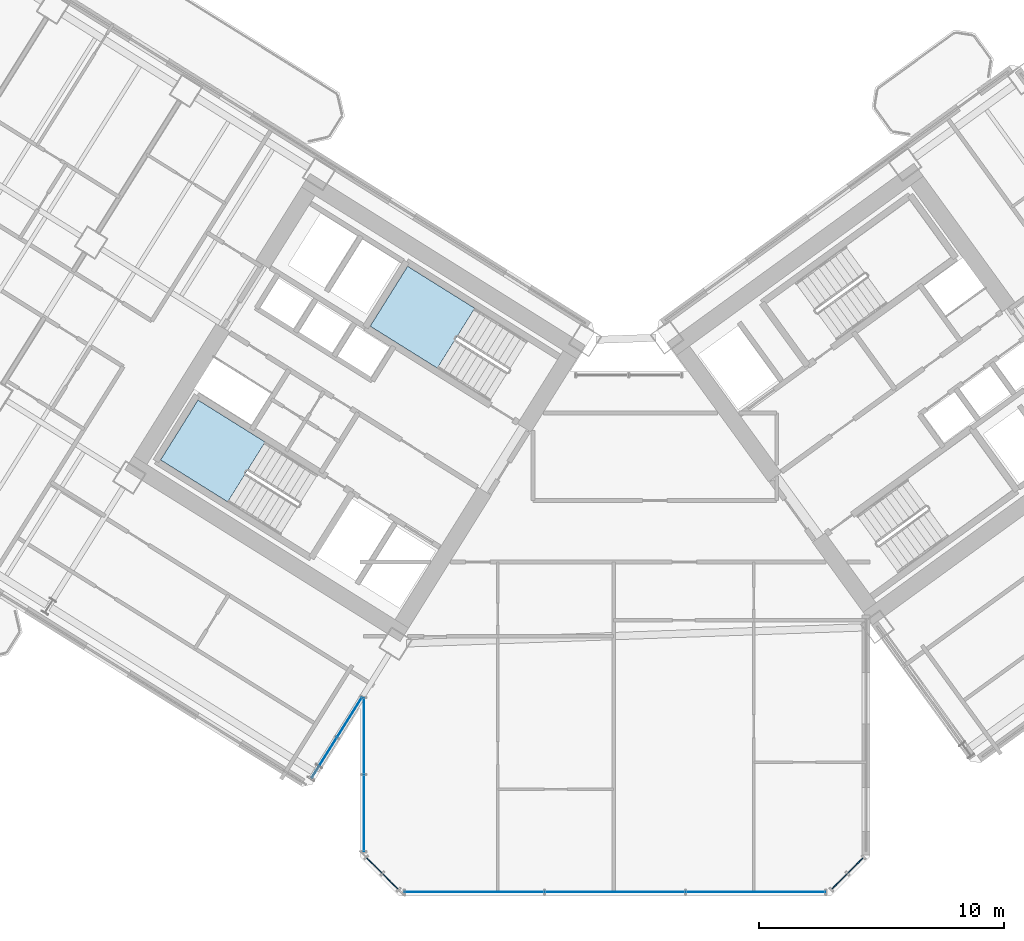
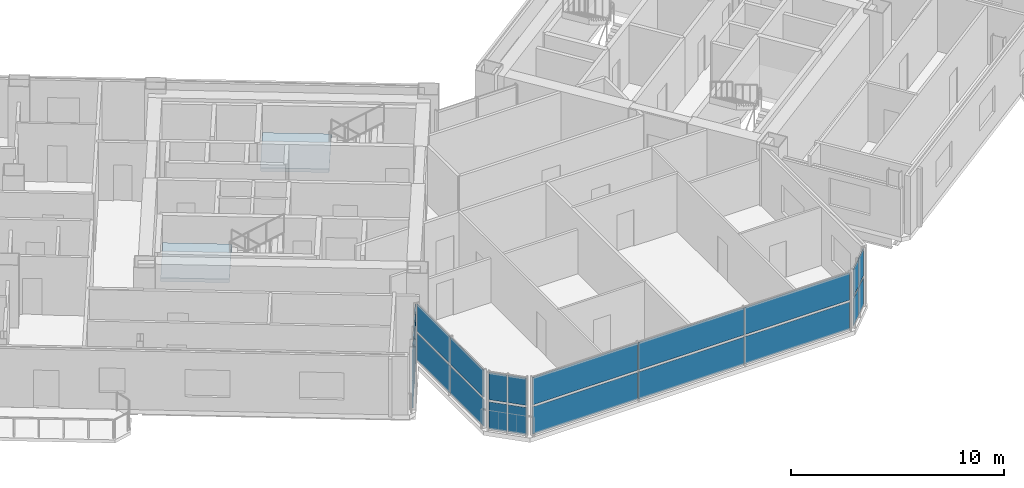
# One storey, part 13 of 28: 22 plates, 2 slabs, 7 elements without a shape of their own.
"""IFC4 building model written with IfcOpenShell, lengths in metres."""

from ifc_helpers import new_model, si_unit, direction, frame, origin, origin_2d, place, context, subcontext, project, spatial, polyline, rectangle, outline, extrude, source, transform, mapped, material, layer, layer_set, type_object, element, aggregate, save


model = new_model("IFC4")

# Units and contexts
model_context = context("Model", 3, precision=1e-05, world=origin(), true_north=direction((0.0, 1.0)))
body_context = subcontext(model_context, "Body", "Model", "MODEL_VIEW")
ifc_project = project(units=[si_unit("LENGTHUNIT", "METRE"), si_unit("AREAUNIT", "SQUARE_METRE"), si_unit("VOLUMEUNIT", "CUBIC_METRE"), si_unit("PLANEANGLEUNIT", "RADIAN"), si_unit("MASSUNIT", "GRAM", prefix="KILO")], contexts=[model_context])

# Site, building, storey
site_placement = place(None, origin())
site = spatial("IfcSite", under=ifc_project, at=site_placement, CompositionType="ELEMENT")
building_placement = place(site_placement, origin())
building = spatial("IfcBuilding", under=site, at=building_placement, Name="Tlacorven Tower", CompositionType="ELEMENT")
storey_placement = place(building_placement, frame((0.0, 0.0, 49.199951171875)))
storey = spatial("IfcBuildingStorey", under=building, at=storey_placement, Name="L12", CompositionType="ELEMENT", Elevation=49.199951171875)

# Stair, slab
ifc_material_1 = material(Name="Concrete C40/50", Category="concrete")
stair_type = type_object("IfcStairType", Name="ST-CORE-DLG", PredefinedType="HALF_TURN_STAIR", material=ifc_material_1)
stair_1_placement = place(storey_placement, origin())
stair_1 = element("IfcStair", 1, at=stair_1_placement, inside=storey, type_object=stair_type, Name="L12 Protected Exit Stair West 1", PredefinedType="HALF_TURN_STAIR")
ifc_layer_1 = layer(ifc_material_1, 0.199951171875)
ifc_layer_set_1 = layer_set([ifc_layer_1], Name="Concrete C40/50")
slab_type = type_object("IfcSlabType", Name="SL-LND-200", PredefinedType="LANDING", material=ifc_layer_set_1)
slab_1_placement = place(storey_placement, frame((0.0, 0.0, 1.60009765625)))
slab_1 = element("IfcSlab", 2, at=slab_1_placement, type_object=slab_type, Name="ST-W1 landing 1", PredefinedType="LANDING", context=body_context, shape_type="SweptSolid", body=[
    extrude(outline(polyline([(27.728515625, 20.315185546875), (24.9892578125, 22.02685546875), (23.463134765625, 19.58447265625), (26.2021484375, 17.872802734375), (27.728515625, 20.315185546875)])), origin(), (0.0, 0.0, 1.0), 0.199951171875),
])
aggregate(stair_1, [slab_1])

stair_2_placement = place(storey_placement, origin())
stair_2 = element("IfcStair", 3, at=stair_2_placement, inside=storey, type_object=stair_type, Name="L12 Protected Exit Stair West 2", PredefinedType="HALF_TURN_STAIR")
slab_2_placement = place(storey_placement, frame((0.0, 0.0, 1.60009765625)))
slab_2 = element("IfcSlab", 4, at=slab_2_placement, type_object=slab_type, Name="ST-W2 landing 1", PredefinedType="LANDING", context=body_context, shape_type="SweptSolid", body=[
    extrude(outline(polyline([(36.280029296875, 25.772705078125), (33.540771484375, 27.484375), (32.0146484375, 25.0419921875), (34.75390625, 23.33056640625), (36.280029296875, 25.772705078125)])), origin(), (0.0, 0.0, 1.0), 0.199951171875),
])
aggregate(stair_2, [slab_2])

# Curtain wall, plates
ifc_material_2 = material(Name="Dark solar low-E double glazing in aluminium frame", Category="aluminium")
curtain_wall_type = type_object("IfcCurtainWallType", Name="CW-TWR-LOW", PredefinedType="USERDEFINED", material=ifc_material_2)
curtain_wall_1_placement = place(storey_placement, origin())
curtain_wall_1 = element("IfcCurtainWall", 5, at=curtain_wall_1_placement, inside=storey, type_object=curtain_wall_type, Name="L12 CW-TWR-LOW Curtain Wall 63", ObjectType="UNITISED CURTAIN WALL", PredefinedType="USERDEFINED")
ifc_material_3 = material(Name="Dark solar double low-E glazing", Category="glass")
ifc_layer_2 = layer(ifc_material_3, 0.031982421875)
ifc_layer_set_2 = layer_set([ifc_layer_2], Name="Dark solar double low-E glazing")
plate_type = type_object("IfcPlateType", Name="CWP-02", PredefinedType="CURTAIN_PANEL", material=ifc_layer_set_2)
shared_shape_1 = source(origin(), body_context, "Body", "SweptSolid", [
    extrude(rectangle(XDim=0.878173828125, YDim=0.031982421875, at=origin_2d()), origin(), (0.0, 0.0, 1.0), 1.552978515625),
])
plate_1_placement = place(storey_placement, frame((51.815673828125, 3.0419921875, 0.06103515625), z_axis=(0.0, 0.0, 1.0), x_axis=(-0.707106781187, -0.707106781187, 0.0)))
plate_1 = element("IfcPlate", 6, at=plate_1_placement, type_object=plate_type, Name="CW-L12-063 Glazing Panel 1", PredefinedType="CURTAIN_PANEL", context=body_context, shape_type="MappedRepresentation", body=[
    mapped(shared_shape_1, transform((0.0, 0.0, 0.0), scale=1.0)),
])
plate_2_placement = place(storey_placement, frame((51.815673828125, 3.0419921875, 1.73583984375), z_axis=(0.0, 0.0, 1.0), x_axis=(-0.707106781187, -0.707106781187, 0.0)))
plate_2 = element("IfcPlate", 7, at=plate_2_placement, type_object=plate_type, Name="CW-L12-063 Glazing Panel 2", PredefinedType="CURTAIN_PANEL", context=body_context, shape_type="MappedRepresentation", body=[
    mapped(shared_shape_1, transform((0.0, 0.0, 0.0), scale=1.0)),
])
plate_3_placement = place(storey_placement, frame((51.157958984375, 2.38427734375, 0.06103515625), z_axis=(0.0, 0.0, 1.0), x_axis=(-0.707106781187, -0.707106781187, 0.0)))
plate_3 = element("IfcPlate", 8, at=plate_3_placement, type_object=plate_type, Name="CW-L12-063 Glazing Panel 3", PredefinedType="CURTAIN_PANEL", context=body_context, shape_type="MappedRepresentation", body=[
    mapped(shared_shape_1, transform((0.0, 0.0, 0.0), scale=1.0)),
])
plate_4_placement = place(storey_placement, frame((51.157958984375, 2.38427734375, 1.73583984375), z_axis=(0.0, 0.0, 1.0), x_axis=(-0.707106781187, -0.707106781187, 0.0)))
plate_4 = element("IfcPlate", 9, at=plate_4_placement, type_object=plate_type, Name="CW-L12-063 Glazing Panel 4", PredefinedType="CURTAIN_PANEL", context=body_context, shape_type="MappedRepresentation", body=[
    mapped(shared_shape_1, transform((0.0, 0.0, 0.0), scale=1.0)),
])
aggregate(curtain_wall_1, [plate_1, plate_2, plate_3, plate_4])

curtain_wall_2_placement = place(storey_placement, origin())
curtain_wall_2 = element("IfcCurtainWall", 10, at=curtain_wall_2_placement, inside=storey, type_object=curtain_wall_type, Name="L12 CW-TWR-LOW Curtain Wall 65", ObjectType="UNITISED CURTAIN WALL", PredefinedType="USERDEFINED")
plate_5_placement = place(storey_placement, frame((32.842041015625, 2.38427734375, 0.06103515625), z_axis=(0.0, 0.0, 1.0), x_axis=(-0.707106781187, 0.707106781187, 0.0)))
plate_5 = element("IfcPlate", 11, at=plate_5_placement, type_object=plate_type, Name="CW-L12-065 Glazing Panel 1", PredefinedType="CURTAIN_PANEL", context=body_context, shape_type="MappedRepresentation", body=[
    mapped(shared_shape_1, transform((0.0, 0.0, 0.0), scale=1.0)),
])
plate_6_placement = place(storey_placement, frame((32.842041015625, 2.38427734375, 1.73583984375), z_axis=(0.0, 0.0, 1.0), x_axis=(-0.707106781187, 0.707106781187, 0.0)))
plate_6 = element("IfcPlate", 12, at=plate_6_placement, type_object=plate_type, Name="CW-L12-065 Glazing Panel 2", PredefinedType="CURTAIN_PANEL", context=body_context, shape_type="MappedRepresentation", body=[
    mapped(shared_shape_1, transform((0.0, 0.0, 0.0), scale=1.0)),
])
plate_7_placement = place(storey_placement, frame((32.184326171875, 3.0419921875, 0.06103515625), z_axis=(0.0, 0.0, 1.0), x_axis=(-0.707106781187, 0.707106781187, 0.0)))
plate_7 = element("IfcPlate", 13, at=plate_7_placement, type_object=plate_type, Name="CW-L12-065 Glazing Panel 3", PredefinedType="CURTAIN_PANEL", context=body_context, shape_type="MappedRepresentation", body=[
    mapped(shared_shape_1, transform((0.0, 0.0, 0.0), scale=1.0)),
])
plate_8_placement = place(storey_placement, frame((32.184326171875, 3.0419921875, 1.73583984375), z_axis=(0.0, 0.0, 1.0), x_axis=(-0.707106781187, 0.707106781187, 0.0)))
plate_8 = element("IfcPlate", 14, at=plate_8_placement, type_object=plate_type, Name="CW-L12-065 Glazing Panel 4", PredefinedType="CURTAIN_PANEL", context=body_context, shape_type="MappedRepresentation", body=[
    mapped(shared_shape_1, transform((0.0, 0.0, 0.0), scale=1.0)),
])
aggregate(curtain_wall_2, [plate_5, plate_6, plate_7, plate_8])

curtain_wall_3_placement = place(storey_placement, origin())
curtain_wall_3 = element("IfcCurtainWall", 15, at=curtain_wall_3_placement, inside=storey, type_object=curtain_wall_type, Name="L12 CW-TWR-LOW Curtain Wall 64", ObjectType="UNITISED CURTAIN WALL", PredefinedType="USERDEFINED")
shared_shape_2 = source(origin(), body_context, "Body", "SweptSolid", [
    extrude(rectangle(XDim=5.668701171875, YDim=0.031982421875, at=origin_2d()), origin(), (0.0, 0.0, 1.0), 1.552978515625),
])
plate_9_placement = place(storey_placement, frame((47.73828125, 1.9599609375, 0.06103515625), z_axis=(0.0, 0.0, 1.0), x_axis=(-1.0, 0.0, 0.0)))
plate_9 = element("IfcPlate", 16, at=plate_9_placement, type_object=plate_type, Name="CW-L12-064 Glazing Panel 1", PredefinedType="CURTAIN_PANEL", context=body_context, shape_type="MappedRepresentation", body=[
    mapped(shared_shape_2, transform((0.0, 0.0, 0.0), scale=1.0)),
])
plate_10_placement = place(storey_placement, frame((47.73828125, 1.9599609375, 1.73583984375), z_axis=(0.0, 0.0, 1.0), x_axis=(-1.0, 0.0, 0.0)))
plate_10 = element("IfcPlate", 17, at=plate_10_placement, type_object=plate_type, Name="CW-L12-064 Glazing Panel 2", PredefinedType="CURTAIN_PANEL", context=body_context, shape_type="MappedRepresentation", body=[
    mapped(shared_shape_2, transform((0.0, 0.0, 0.0), scale=1.0)),
])
plate_11_placement = place(storey_placement, frame((36.26171875, 1.9599609375, 0.06103515625), z_axis=(0.0, 0.0, 1.0), x_axis=(-1.0, 0.0, 0.0)))
plate_11 = element("IfcPlate", 18, at=plate_11_placement, type_object=plate_type, Name="CW-L12-064 Glazing Panel 5", PredefinedType="CURTAIN_PANEL", context=body_context, shape_type="MappedRepresentation", body=[
    mapped(shared_shape_2, transform((0.0, 0.0, 0.0), scale=1.0)),
])
plate_12_placement = place(storey_placement, frame((36.26171875, 1.9599609375, 1.73583984375), z_axis=(0.0, 0.0, 1.0), x_axis=(-1.0, 0.0, 0.0)))
plate_12 = element("IfcPlate", 19, at=plate_12_placement, type_object=plate_type, Name="CW-L12-064 Glazing Panel 6", PredefinedType="CURTAIN_PANEL", context=body_context, shape_type="MappedRepresentation", body=[
    mapped(shared_shape_2, transform((0.0, 0.0, 0.0), scale=1.0)),
])
shared_shape_3 = source(origin(), body_context, "Body", "SweptSolid", [
    extrude(rectangle(XDim=5.703857421875, YDim=0.031982421875, at=origin_2d()), origin(), (0.0, 0.0, 1.0), 1.552978515625),
])
plate_13_placement = place(storey_placement, frame((42.0, 1.9599609375, 0.06103515625), z_axis=(0.0, 0.0, 1.0), x_axis=(-1.0, 0.0, 0.0)))
plate_13 = element("IfcPlate", 20, at=plate_13_placement, type_object=plate_type, Name="CW-L12-064 Glazing Panel 3", PredefinedType="CURTAIN_PANEL", context=body_context, shape_type="MappedRepresentation", body=[
    mapped(shared_shape_3, transform((0.0, 0.0, 0.0), scale=1.0)),
])
plate_14_placement = place(storey_placement, frame((42.0, 1.9599609375, 1.73583984375), z_axis=(0.0, 0.0, 1.0), x_axis=(-1.0, 0.0, 0.0)))
plate_14 = element("IfcPlate", 21, at=plate_14_placement, type_object=plate_type, Name="CW-L12-064 Glazing Panel 4", PredefinedType="CURTAIN_PANEL", context=body_context, shape_type="MappedRepresentation", body=[
    mapped(shared_shape_3, transform((0.0, 0.0, 0.0), scale=1.0)),
])
aggregate(curtain_wall_3, [plate_9, plate_10, plate_13, plate_14, plate_11, plate_12])

curtain_wall_4_placement = place(storey_placement, origin())
curtain_wall_4 = element("IfcCurtainWall", 22, at=curtain_wall_4_placement, inside=storey, type_object=curtain_wall_type, Name="L12 CW-TWR-LOW Curtain Wall 66", ObjectType="UNITISED CURTAIN WALL", PredefinedType="USERDEFINED")
shared_shape_4 = source(origin(), body_context, "Body", "SweptSolid", [
    extrude(rectangle(XDim=3.09423828125, YDim=0.031982421875, at=origin_2d()), origin(), (0.0, 0.0, 1.0), 1.552978515625),
])
plate_15_placement = place(storey_placement, frame((31.760009765625, 5.17431640625, 0.06103515625), z_axis=(0.0, 0.0, 1.0), x_axis=(0.0, 1.0, 0.0)))
plate_15 = element("IfcPlate", 23, at=plate_15_placement, type_object=plate_type, Name="CW-L12-066 Glazing Panel 1", PredefinedType="CURTAIN_PANEL", context=body_context, shape_type="MappedRepresentation", body=[
    mapped(shared_shape_4, transform((0.0, 0.0, 0.0), scale=1.0)),
])
plate_16_placement = place(storey_placement, frame((31.760009765625, 5.17431640625, 1.73583984375), z_axis=(0.0, 0.0, 1.0), x_axis=(0.0, 1.0, 0.0)))
plate_16 = element("IfcPlate", 24, at=plate_16_placement, type_object=plate_type, Name="CW-L12-066 Glazing Panel 2", PredefinedType="CURTAIN_PANEL", context=body_context, shape_type="MappedRepresentation", body=[
    mapped(shared_shape_4, transform((0.0, 0.0, 0.0), scale=1.0)),
])
plate_17_placement = place(storey_placement, frame((31.760009765625, 8.320556640625, 0.06103515625), z_axis=(0.0, 0.0, 1.0), x_axis=(0.0, 1.0, 0.0)))
plate_17 = element("IfcPlate", 25, at=plate_17_placement, type_object=plate_type, Name="CW-L12-066 Glazing Panel 3", PredefinedType="CURTAIN_PANEL", context=body_context, shape_type="MappedRepresentation", body=[
    mapped(shared_shape_4, transform((0.0, 0.0, 0.0), scale=1.0)),
])
plate_18_placement = place(storey_placement, frame((31.760009765625, 8.320556640625, 1.73583984375), z_axis=(0.0, 0.0, 1.0), x_axis=(0.0, 1.0, 0.0)))
plate_18 = element("IfcPlate", 26, at=plate_18_placement, type_object=plate_type, Name="CW-L12-066 Glazing Panel 4", PredefinedType="CURTAIN_PANEL", context=body_context, shape_type="MappedRepresentation", body=[
    mapped(shared_shape_4, transform((0.0, 0.0, 0.0), scale=1.0)),
])
aggregate(curtain_wall_4, [plate_15, plate_16, plate_17, plate_18])

curtain_wall_5_placement = place(storey_placement, origin())
curtain_wall_5 = element("IfcCurtainWall", 27, at=curtain_wall_5_placement, inside=storey, type_object=curtain_wall_type, Name="L12 CW-TWR-LOW Curtain Wall 67", ObjectType="UNITISED CURTAIN WALL", PredefinedType="USERDEFINED")
shared_shape_5 = source(origin(), body_context, "Body", "SweptSolid", [
    extrude(rectangle(XDim=1.896240234375, YDim=0.031982421875, at=origin_2d()), origin(), (0.0, 0.0, 1.0), 1.552978515625),
])
plate_19_placement = place(storey_placement, frame((31.172119140625, 9.087890625, 0.06103515625), z_axis=(0.0, 0.0, 1.0), x_axis=(-0.529918710919, -0.848048441905, 0.0)))
plate_19 = element("IfcPlate", 28, at=plate_19_placement, type_object=plate_type, Name="CW-L12-067 Glazing Panel 1", PredefinedType="CURTAIN_PANEL", context=body_context, shape_type="MappedRepresentation", body=[
    mapped(shared_shape_5, transform((0.0, 0.0, 0.0), scale=1.0)),
])
plate_20_placement = place(storey_placement, frame((31.172119140625, 9.087890625, 1.73583984375), z_axis=(0.0, 0.0, 1.0), x_axis=(-0.529918710919, -0.848048441905, 0.0)))
plate_20 = element("IfcPlate", 29, at=plate_20_placement, type_object=plate_type, Name="CW-L12-067 Glazing Panel 2", PredefinedType="CURTAIN_PANEL", context=body_context, shape_type="MappedRepresentation", body=[
    mapped(shared_shape_5, transform((0.0, 0.0, 0.0), scale=1.0)),
])
plate_21_placement = place(storey_placement, frame((30.1396484375, 7.435791015625, 0.06103515625), z_axis=(0.0, 0.0, 1.0), x_axis=(-0.529918710919, -0.848048441905, 0.0)))
plate_21 = element("IfcPlate", 30, at=plate_21_placement, type_object=plate_type, Name="CW-L12-067 Glazing Panel 3", PredefinedType="CURTAIN_PANEL", context=body_context, shape_type="MappedRepresentation", body=[
    mapped(shared_shape_5, transform((0.0, 0.0, 0.0), scale=1.0)),
])
plate_22_placement = place(storey_placement, frame((30.1396484375, 7.435791015625, 1.73583984375), z_axis=(0.0, 0.0, 1.0), x_axis=(-0.529918710919, -0.848048441905, 0.0)))
plate_22 = element("IfcPlate", 31, at=plate_22_placement, type_object=plate_type, Name="CW-L12-067 Glazing Panel 4", PredefinedType="CURTAIN_PANEL", context=body_context, shape_type="MappedRepresentation", body=[
    mapped(shared_shape_5, transform((0.0, 0.0, 0.0), scale=1.0)),
])
aggregate(curtain_wall_5, [plate_19, plate_20, plate_21, plate_22])

save(model, "model.ifc")
